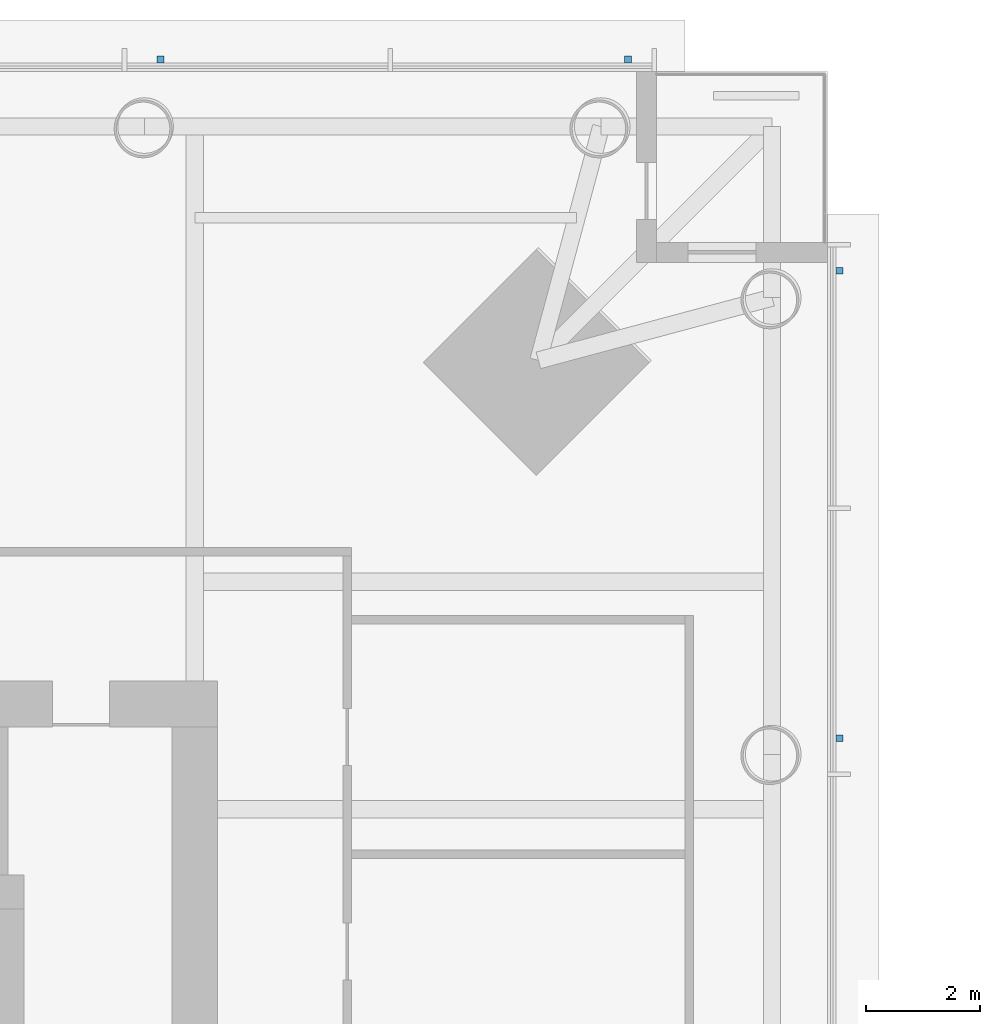
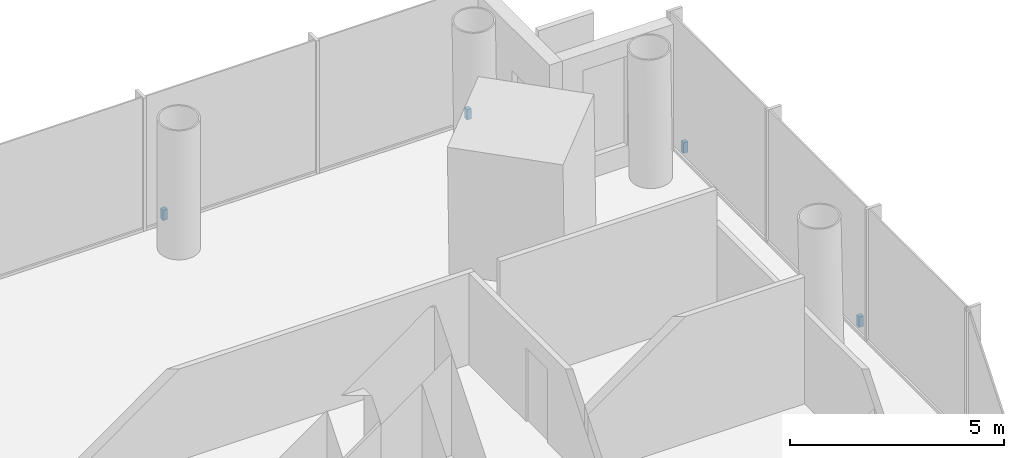
# One storey, part 21 of 26: 4 discrete accessories.
"""IFC4 building model written with IfcOpenShell, lengths in metres."""

import ifcopenshell
import ifcopenshell.guid

model = None  # the IFC model being written
_history = None  # IfcOwnerHistory: only IFC2X3 demands one
_inside = {}  # id of a spatial element -> (the spatial element, [elements in it])
_under = {}  # id of a project, library or spatial element -> (it, [spatial elements below it])
_declared = {}  # id of a project -> (the project, [libraries it declares])
_typed = {}  # id of a type object -> (the type object, [elements of that type])
_made_of = {}  # id of a material, layer set ... -> (it, [elements and type objects made of it])


def new_model(schema):
    """Start an empty IFC model of exactly this schema.

    Asked for "IFC4X3", IfcOpenShell would pick the latest addendum, in which some entities
    have other attributes; the version numbers below select the first issue.
    IFC2X3 requires an IfcOwnerHistory on every rooted entity: one is made here for all.
    """
    global model, _history
    if schema == "IFC4X3":
        model = ifcopenshell.file(schema_version=(4, 3, 0, 0))
    else:
        model = ifcopenshell.file(schema=schema)
    _inside.clear()
    _under.clear()
    _declared.clear()
    _typed.clear()
    _made_of.clear()
    _history = None
    if model.schema == "IFC2X3":
        org = make("IfcOrganization", Name="unknown")
        user = make(
            "IfcPersonAndOrganization",
            ThePerson=make("IfcPerson", FamilyName="unknown"),
            TheOrganization=org,
        )
        app = make(
            "IfcApplication",
            ApplicationDeveloper=org,
            Version="unknown",
            ApplicationFullName="unknown",
            ApplicationIdentifier="unknown",
        )
        _history = make(
            "IfcOwnerHistory",
            OwningUser=user,
            OwningApplication=app,
            ChangeAction="ADDED",
            CreationDate=0,
        )
    return model


def make(cls, **values):
    """One entity of the class cls with the attributes given. An attribute that is None is left unset."""
    return model.create_entity(
        cls, **{name: value for name, value in values.items() if value is not None}
    )


def rooted(cls, **values):
    """An entity with a GlobalId (a new one), such as an element, a storey or a relation."""
    return make(cls, GlobalId=ifcopenshell.guid.new(), OwnerHistory=_history, **values)


def si_unit(unit_type, name, prefix=None):
    """IfcSIUnit, for example si_unit("LENGTHUNIT", "METRE", prefix="MILLI")."""
    return make("IfcSIUnit", UnitType=unit_type, Prefix=prefix, Name=name)


def assignment(units):
    """IfcUnitAssignment: the units of a project."""
    return None if units is None else make("IfcUnitAssignment", Units=units)


def point(xyz):
    """IfcCartesianPoint."""
    return None if xyz is None else make("IfcCartesianPoint", Coordinates=xyz)


def direction(xyz):
    """IfcDirection."""
    return None if xyz is None else make("IfcDirection", DirectionRatios=xyz)


def frame(location, z_axis=None, x_axis=None):
    """IfcAxis2Placement3D, a coordinate frame: its origin and axes. An axis left out is left unset."""
    return make(
        "IfcAxis2Placement3D",
        Location=point(location),
        Axis=direction(z_axis),
        RefDirection=direction(x_axis),
    )


def frame_2d(location, x_axis=None):
    """IfcAxis2Placement2D, a coordinate frame in the plane: its origin and x axis."""
    return make(
        "IfcAxis2Placement2D", Location=point(location), RefDirection=direction(x_axis)
    )


def origin():
    """The frame at (0, 0, 0) with its axes left unset."""
    return frame((0.0, 0.0, 0.0))


def origin_2d():
    """The frame at (0, 0) in the plane with its x axis left unset."""
    return frame_2d((0.0, 0.0))


def place(relative_to, where):
    """IfcLocalPlacement: puts the frame where relative to a parent placement (None: the world)."""
    return make(
        "IfcLocalPlacement", PlacementRelTo=relative_to, RelativePlacement=where
    )


def context(
    kind, dimensions, precision=None, world=None, true_north=None, identifier=None
):
    """IfcGeometricRepresentationContext, for example the 3D "Model" context."""
    return make(
        "IfcGeometricRepresentationContext",
        ContextIdentifier=identifier,
        ContextType=kind,
        CoordinateSpaceDimension=dimensions,
        Precision=precision,
        WorldCoordinateSystem=world,
        TrueNorth=true_north,
    )


def subcontext(parent, identifier, kind, view, scale=None):
    """IfcGeometricRepresentationSubContext, for example "Body" below "Model"."""
    return make(
        "IfcGeometricRepresentationSubContext",
        ContextIdentifier=identifier,
        ContextType=kind,
        ParentContext=parent,
        TargetScale=scale,
        TargetView=view,
    )


def project(units=None, contexts=None):
    """IfcProject with its units and contexts."""
    return rooted(
        "IfcProject",
        Name="project",
        RepresentationContexts=contexts,
        UnitsInContext=assignment(units),
    )


def spatial(cls, under=None, at=None, **own):
    """A site, building, storey or space (cls), placed at a placement, below another one or the project."""
    s = rooted(cls, ObjectPlacement=at, **own)
    if under is not None:
        _under.setdefault(under.id(), (under, []))[1].append(s)
    return s


def profile(cls, at=None, kind="AREA", **sizes):
    """A parametric profile (cls). Its sizes go by their IFC names, for example OverallWidth=200.0."""
    return make(cls, ProfileType=kind, Position=at, **sizes)


def rectangle(**sizes):
    """IfcRectangleProfileDef."""
    return profile("IfcRectangleProfileDef", **sizes)


def extrude(swept, where, along, depth):
    """IfcExtrudedAreaSolid: the profile swept, set in the frame where, extruded along a direction by depth."""
    return make(
        "IfcExtrudedAreaSolid",
        SweptArea=swept,
        Position=where,
        ExtrudedDirection=direction(along),
        Depth=depth,
    )


def shape(context_of_items, identifier, shape_type, items):
    """IfcShapeRepresentation: the items that make up one representation, for example the "Body"."""
    return make(
        "IfcShapeRepresentation",
        ContextOfItems=context_of_items,
        RepresentationIdentifier=identifier,
        RepresentationType=shape_type,
        Items=items,
    )


def material(Name=None, Category=None):
    """IfcMaterial."""
    return make("IfcMaterial", Name=Name, Category=Category)


def made_of(thing, what):
    """Note that an element or type object is made of a material, layer set ...; save() writes the relation."""
    if what is not None:
        _made_of.setdefault(what.id(), (what, []))[1].append(thing)
    return thing


def type_object(cls, material=None, **own):
    """A type object (cls), such as IfcWallType, which elements share."""
    return made_of(rooted(cls, **own), material)


def element(
    cls,
    number,
    at=None,
    inside=None,
    cuts=None,
    type_object=None,
    material=None,
    context=None,
    identifier="Body",
    shape_type=None,
    held_by="IfcProductDefinitionShape",
    body=None,
    shapes=None,
    **own,
):
    """One element of the class cls, such as IfcWall. Its Tag is "e" and its number.

    at: its placement. inside: the storey or other place that contains it. cuts: it is an
    opening in that element (IfcRelVoidsElement). A single representation is given by context,
    identifier, shape_type and body (its items); several are given by shapes. held_by: the class
    of the entity that holds the representations. save() writes the other relations.
    """
    e = rooted(cls, Tag="e%d" % number, ObjectPlacement=at, **own)
    if body is not None:
        shapes = [shape(context, identifier, shape_type, body)]
    if shapes is not None:
        e.Representation = make(held_by, Representations=shapes)
    if inside is not None:
        _inside.setdefault(inside.id(), (inside, []))[1].append(e)
    if cuts is not None:
        rooted(
            "IfcRelVoidsElement", RelatingBuildingElement=cuts, RelatedOpeningElement=e
        )
    if type_object is not None:
        _typed.setdefault(type_object.id(), (type_object, []))[1].append(e)
    return made_of(e, material)


def aggregate(whole, parts):
    """IfcRelAggregates: a whole, such as a stair, and the parts it consists of."""
    return rooted("IfcRelAggregates", RelatingObject=whole, RelatedObjects=parts)


def save(model, path):
    """Write the relations noted so far, then the file.

    IfcRelAggregates (storeys below a building ...), IfcRelContainedInSpatialStructure (elements
    in a storey), IfcRelDefinesByType, IfcRelAssociatesMaterial and IfcRelDeclares: one each for
    every whole, place, type object, material and project.
    """
    for whole, parts in _under.values():
        aggregate(whole, parts)
    for where, things in _inside.values():
        rooted(
            "IfcRelContainedInSpatialStructure",
            RelatedElements=things,
            RelatingStructure=where,
        )
    for kind, things in _typed.values():
        rooted("IfcRelDefinesByType", RelatedObjects=things, RelatingType=kind)
    for what, things in _made_of.values():
        rooted("IfcRelAssociatesMaterial", RelatedObjects=things, RelatingMaterial=what)
    for by, libraries in _declared.values():
        rooted("IfcRelDeclares", RelatingContext=by, RelatedDefinitions=libraries)
    model.write(path)


model = new_model("IFC4")

# Units and contexts
model_context = context("Model", 3, precision=1e-05, world=origin(), true_north=direction((0.0, 1.0)))
body_context = subcontext(model_context, "Body", "Model", "MODEL_VIEW")
ifc_project = project(units=[si_unit("LENGTHUNIT", "METRE"), si_unit("AREAUNIT", "SQUARE_METRE"), si_unit("VOLUMEUNIT", "CUBIC_METRE"), si_unit("PLANEANGLEUNIT", "RADIAN"), si_unit("MASSUNIT", "GRAM", prefix="KILO")], contexts=[model_context])

# Site, building, storey
site_placement = place(None, origin())
site = spatial("IfcSite", under=ifc_project, at=site_placement, CompositionType="ELEMENT")
building_placement = place(site_placement, origin())
building = spatial("IfcBuilding", under=site, at=building_placement, Name="Ostroluk Exchange", CompositionType="ELEMENT")
storey_placement = place(building_placement, frame((0.0, 0.0, 51.39990234375)))
storey = spatial("IfcBuildingStorey", under=building, at=storey_placement, Name="L12", CompositionType="ELEMENT", Elevation=51.39990234375)

# Discrete accessories
ifc_material = material(Name="Stainless steel", Category="steel")
discrete_accessory_type = type_object("IfcDiscreteAccessoryType", Name="Fall-arrest anchor PN-EN 795 type C", PredefinedType="USERDEFINED", material=ifc_material)
for number, where, z_axis, x_axis, name in (
    (1, (69.2099609375, 58.300048828125, 0.0), (0.0, 0.0, 1.0), (1.0, 0.0, 0.0), "Fall-arrest anchor L12 east 5"),
    (2, (69.2099609375, 66.5, 0.0), (0.0, 0.0, 1.0), (1.0, 0.0, 0.0), "Fall-arrest anchor L12 east 6"),
    (3, (57.300048828125, 70.2099609375, 0.0), (0.0, 0.0, 1.0), (1.0, 0.0, 0.0), "Fall-arrest anchor L12 north 5"),
    (4, (65.5, 70.2099609375, 0.0), (0.0, 0.0, 1.0), (1.0, 0.0, 0.0), "Fall-arrest anchor L12 north 6"),
):
    element("IfcDiscreteAccessory", number, at=place(storey_placement, frame(where, z_axis=z_axis, x_axis=x_axis)), inside=storey, type_object=discrete_accessory_type, Name=name, ObjectType="FALL ARREST ANCHOR", PredefinedType="USERDEFINED", context=body_context, shape_type="SweptSolid", body=[
        extrude(rectangle(XDim=0.1201171875, YDim=0.1201171875, at=origin_2d()), origin(), (0.0, 0.0, 1.0), 0.300048828125),
    ])

save(model, "model.ifc")
